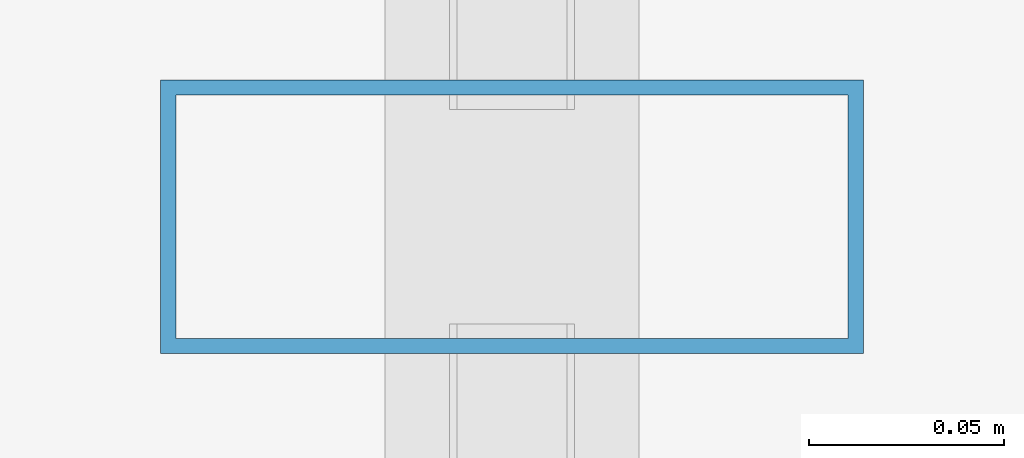
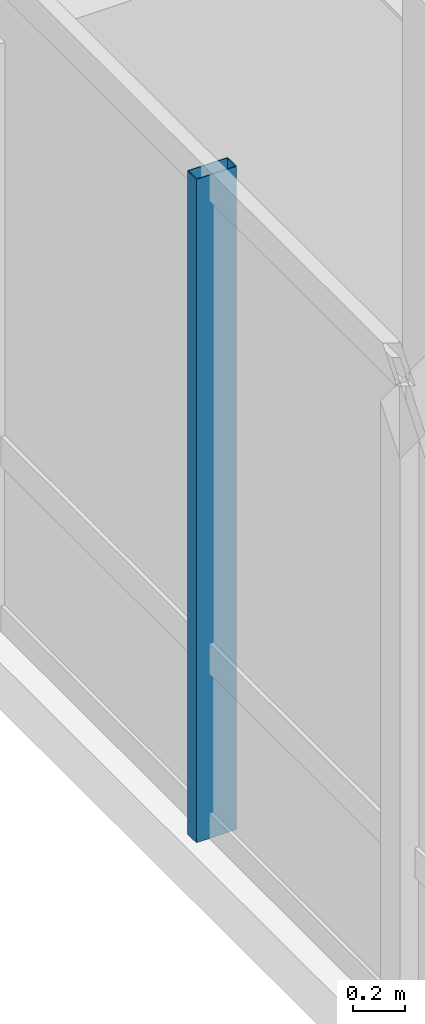
# One storey, part 12 of 32: 1 member, 1 element without a shape of its own.
"""IFC4 building model written with IfcOpenShell, lengths in metres."""

from ifc_helpers import new_model, si_unit, direction, frame, origin, origin_2d, place, context, subcontext, project, spatial, hollow_rectangle, extrude, material, layer, layer_set, material_profile, profile_set, type_object, element, aggregate, save


model = new_model("IFC4")

# Units and contexts
model_context = context("Model", 3, precision=1e-05, world=origin(), true_north=direction((0.0, 1.0)))
body_context = subcontext(model_context, "Body", "Model", "MODEL_VIEW")
ifc_project = project(units=[si_unit("LENGTHUNIT", "METRE"), si_unit("AREAUNIT", "SQUARE_METRE"), si_unit("VOLUMEUNIT", "CUBIC_METRE"), si_unit("PLANEANGLEUNIT", "RADIAN"), si_unit("MASSUNIT", "GRAM", prefix="KILO")], contexts=[model_context])

# Site, building, storey
site_placement = place(None, origin())
site = spatial("IfcSite", under=ifc_project, at=site_placement, CompositionType="ELEMENT")
building_placement = place(site_placement, origin())
building = spatial("IfcBuilding", under=site, at=building_placement, Name="Hatsunagi Terrace Concourse", CompositionType="ELEMENT")
storey_placement = place(building_placement, frame((0.0, 0.0, 36.60009765625)))
storey = spatial("IfcBuildingStorey", under=building, at=storey_placement, Name="L08", CompositionType="ELEMENT", Elevation=36.60009765625)

# Curtain wall, member
ifc_material_1 = material(Name="Anodised Aluminium Alloy 6063-T5", Category="aluminium")
ifc_layer = layer(ifc_material_1, 0.199951171875)
ifc_layer_set = layer_set([ifc_layer], Name="HotelFacade_CW02")
curtain_wall_type = type_object("IfcCurtainWallType", Name="HotelFacade_CW02", PredefinedType="NOTDEFINED", material=ifc_layer_set)
curtain_wall_placement = place(storey_placement, origin())
curtain_wall = element("IfcCurtainWall", 1, at=curtain_wall_placement, inside=storey, type_object=curtain_wall_type, Name="Unitised Curtain Wall CW-02 CW-L08-09", PredefinedType="NOTDEFINED")
ifc_material_2 = material(Name="Anodised Aluminium Alloy 6063-T5", Category="aluminium")
ifc_material_profile = material_profile(ifc_material_2, hollow_rectangle(XDim=0.070068359375, YDim=0.179931640625, WallThickness=0.00390625, at=origin_2d()), Name="ALU-MUL-180x70x4")
ifc_profile_set = profile_set([ifc_material_profile], Name="Anodised Aluminium Alloy 6063-T5")
member_type = type_object("IfcMemberType", Name="CurtainWallMullion_180x70", PredefinedType="MULLION", material=ifc_profile_set)
member_placement = place(storey_placement, frame((0.139892578125, 36.89990234375, 0.0), z_axis=(0.0, 0.0, 1.0), x_axis=(0.0, 1.0, 0.0)))
member = element("IfcMember", 2, at=member_placement, type_object=member_type, Name="Curtain Wall Mullion MUL-02", PredefinedType="MULLION", context=body_context, shape_type="SweptSolid", body=[
    extrude(hollow_rectangle(XDim=0.070068359375, YDim=0.179931640625, WallThickness=0.00390625, at=origin_2d()), origin(), (0.0, 0.0, 1.0), 3.1298828125),
])
aggregate(curtain_wall, [member])

save(model, "model.ifc")
